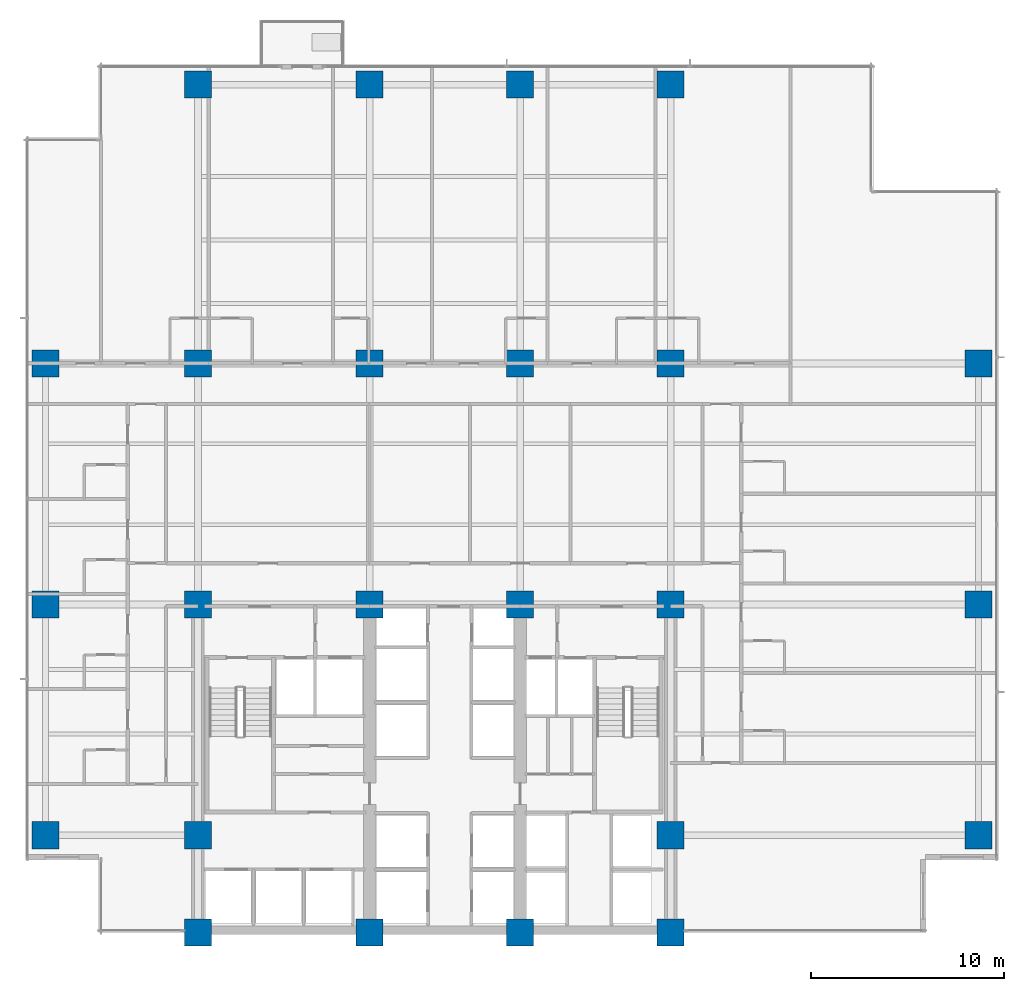
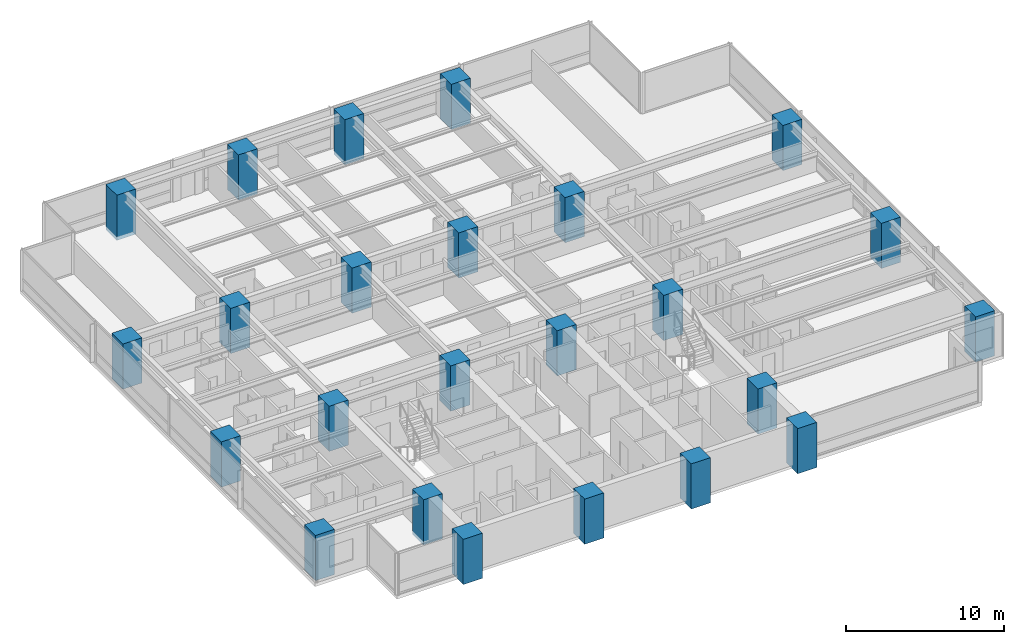
# One storey, part 1 of 18: 24 columns.
"""IFC4 building model written with IfcOpenShell, lengths in metres."""

from ifc_helpers import new_model, si_unit, direction, frame, origin, origin_2d, place, context, subcontext, project, spatial, rectangle, extrude, material, material_profile, profile_set, type_object, element, save


model = new_model("IFC4")

# Units and contexts
model_context = context("Model", 3, precision=1e-05, world=origin(), true_north=direction((0.0, 1.0)))
body_context = subcontext(model_context, "Body", "Model", "MODEL_VIEW")
ifc_project = project(units=[si_unit("LENGTHUNIT", "METRE"), si_unit("AREAUNIT", "SQUARE_METRE"), si_unit("VOLUMEUNIT", "CUBIC_METRE"), si_unit("PLANEANGLEUNIT", "RADIAN"), si_unit("MASSUNIT", "GRAM", prefix="KILO")], contexts=[model_context])

# Site, building, storey
site_placement = place(None, origin())
site = spatial("IfcSite", under=ifc_project, at=site_placement, CompositionType="ELEMENT")
building_placement = place(site_placement, origin())
building = spatial("IfcBuilding", under=site, at=building_placement, Name="Qalmaran Belvedere Hotel", CompositionType="ELEMENT")
storey_placement = place(building_placement, frame((0.0, 0.0, 54.39990234375)))
storey = spatial("IfcBuildingStorey", under=building, at=storey_placement, Name="L13", CompositionType="ELEMENT", Elevation=54.39990234375)

# Columns
ifc_material = material(Name="Concrete C60/75", Category="concrete")
ifc_material_profile = material_profile(ifc_material, rectangle(XDim=1.39990234375, YDim=1.39990234375, at=origin_2d()), Name="CC1400X1400")
ifc_profile_set = profile_set([ifc_material_profile], Name="Concrete C60/75")
column_type = type_object("IfcColumnType", Name="COL-Z1-CC1400", PredefinedType="COLUMN", material=ifc_profile_set)
for number, where, z_axis, x_axis, name in (
    (1, (20.300048828125, 3.5, -0.27978515625), (0.0, 0.0, 1.0), (1.0, 0.0, 0.0), "L13 Column C4B"),
    (2, (29.199951171875, 3.5, -0.27978515625), (0.0, 0.0, 1.0), (1.0, 0.0, 0.0), "L13 Column C5B"),
    (3, (37.0, 3.5, -0.27978515625), (0.0, 0.0, 1.0), (1.0, 0.0, 0.0), "L13 Column C6B"),
    (4, (44.800048828125, 3.5, -0.27978515625), (0.0, 0.0, 1.0), (1.0, 0.0, 0.0), "L13 Column C7B"),
    (5, (20.300048828125, 8.550048828125, -0.27978515625), (0.0, 0.0, 1.0), (1.0, 0.0, 0.0), "L13 Column C4C"),
    (6, (44.800048828125, 8.550048828125, -0.27978515625), (0.0, 0.0, 1.0), (1.0, 0.0, 0.0), "L13 Column C7C"),
    (7, (20.300048828125, 20.5, -0.27978515625), (0.0, 0.0, 1.0), (1.0, 0.0, 0.0), "L13 Column C4D"),
    (8, (29.199951171875, 20.5, -0.27978515625), (0.0, 0.0, 1.0), (1.0, 0.0, 0.0), "L13 Column C5D"),
    (9, (37.0, 20.5, -0.27978515625), (0.0, 0.0, 1.0), (1.0, 0.0, 0.0), "L13 Column C6D"),
    (10, (44.800048828125, 20.5, -0.27978515625), (0.0, 0.0, 1.0), (1.0, 0.0, 0.0), "L13 Column C7D"),
    (11, (20.300048828125, 33.0, -0.27978515625), (0.0, 0.0, 1.0), (1.0, 0.0, 0.0), "L13 Column C4F"),
    (12, (29.199951171875, 33.0, -0.27978515625), (0.0, 0.0, 1.0), (1.0, 0.0, 0.0), "L13 Column C5F"),
    (13, (37.0, 33.0, -0.27978515625), (0.0, 0.0, 1.0), (1.0, 0.0, 0.0), "L13 Column C6F"),
    (14, (44.800048828125, 33.0, -0.27978515625), (0.0, 0.0, 1.0), (1.0, 0.0, 0.0), "L13 Column C7F"),
    (15, (12.39990234375, 8.550048828125, -0.27978515625), (0.0, 0.0, 1.0), (1.0, 0.0, 0.0), "L13 Column CW1"),
    (16, (12.39990234375, 20.5, -0.27978515625), (0.0, 0.0, 1.0), (1.0, 0.0, 0.0), "L13 Column CW3"),
    (17, (12.39990234375, 33.0, -0.27978515625), (0.0, 0.0, 1.0), (1.0, 0.0, 0.0), "L13 Column CW4"),
    (18, (60.75, 8.550048828125, -0.27978515625), (0.0, 0.0, 1.0), (1.0, 0.0, 0.0), "L13 Column CE1"),
    (19, (60.75, 20.5, -0.27978515625), (0.0, 0.0, 1.0), (1.0, 0.0, 0.0), "L13 Column CE3"),
    (20, (60.75, 33.0, -0.27978515625), (0.0, 0.0, 1.0), (1.0, 0.0, 0.0), "L13 Column CE4"),
    (21, (20.300048828125, 47.449951171875, -0.27978515625), (0.0, 0.0, 1.0), (1.0, 0.0, 0.0), "L13 Column CN1"),
    (22, (29.199951171875, 47.449951171875, -0.27978515625), (0.0, 0.0, 1.0), (1.0, 0.0, 0.0), "L13 Column CN2"),
    (23, (37.0, 47.449951171875, -0.27978515625), (0.0, 0.0, 1.0), (1.0, 0.0, 0.0), "L13 Column CN3"),
    (24, (44.800048828125, 47.449951171875, -0.27978515625), (0.0, 0.0, 1.0), (1.0, 0.0, 0.0), "L13 Column CN4"),
):
    element("IfcColumn", number, at=place(storey_placement, frame(where, z_axis=z_axis, x_axis=x_axis)), inside=storey, type_object=column_type, Name=name, PredefinedType="COLUMN", context=body_context, shape_type="SweptSolid", body=[
        extrude(rectangle(XDim=1.39990234375, YDim=1.39990234375, at=origin_2d()), origin(), (0.0, 0.0, 1.0), 3.5),
    ])

save(model, "model.ifc")
